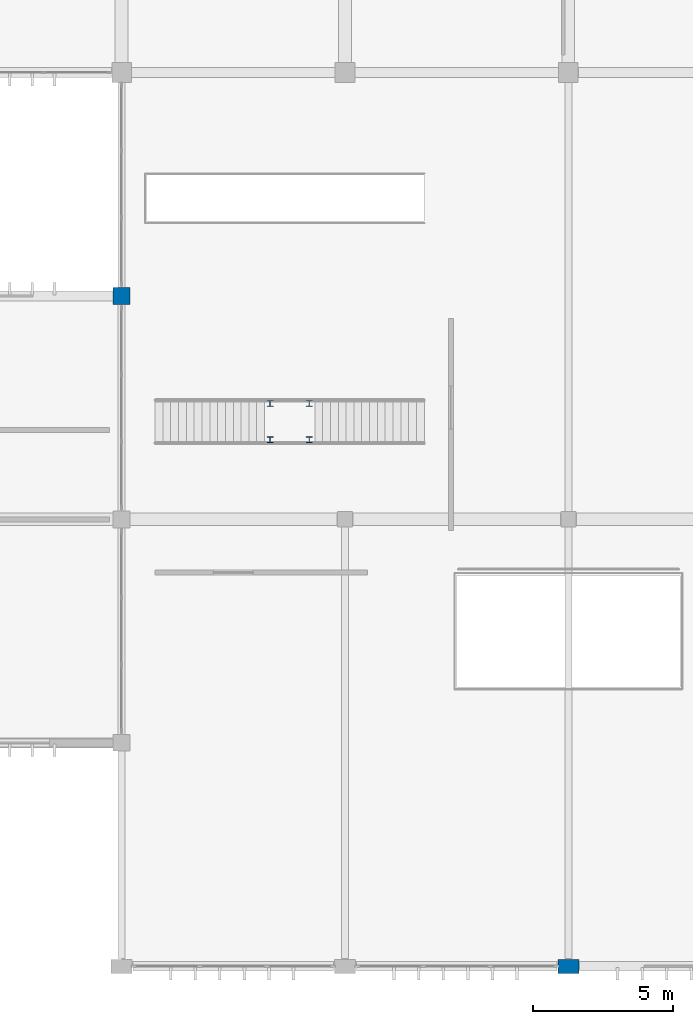
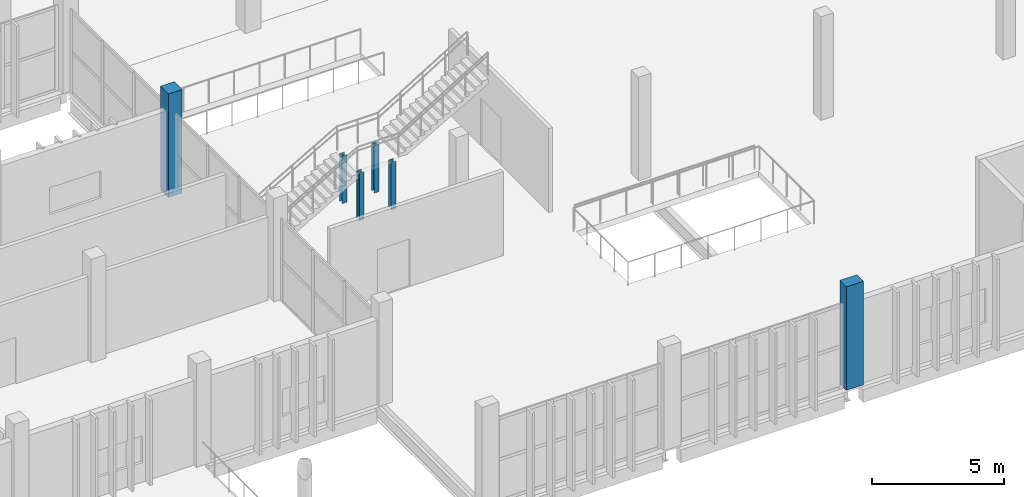
# One storey, part 12 of 106: 6 columns.
"""IFC4 building model written with IfcOpenShell, lengths in metres."""

from ifc_helpers import new_model, si_unit, direction, frame, origin, origin_2d, place, context, subcontext, project, spatial, rectangle, i_section, extrude, material, material_profile, profile_set, type_object, element, save


model = new_model("IFC4")

# Units and contexts
model_context = context("Model", 3, precision=1e-05, world=origin(), true_north=direction((0.0, 1.0)))
body_context = subcontext(model_context, "Body", "Model", "MODEL_VIEW")
ifc_project = project(units=[si_unit("LENGTHUNIT", "METRE"), si_unit("AREAUNIT", "SQUARE_METRE"), si_unit("VOLUMEUNIT", "CUBIC_METRE"), si_unit("PLANEANGLEUNIT", "RADIAN"), si_unit("MASSUNIT", "GRAM", prefix="KILO")], contexts=[model_context])

# Site, building, storey
site_placement = place(None, origin())
site = spatial("IfcSite", under=ifc_project, at=site_placement, CompositionType="ELEMENT")
building_placement = place(site_placement, origin())
building = spatial("IfcBuilding", under=site, at=building_placement, Name="Jelvoka-Kovrelna Polytechnic", CompositionType="ELEMENT")
storey_placement = place(building_placement, frame((0.0, 0.0, 4.800048828125)))
storey = spatial("IfcBuildingStorey", under=building, at=storey_placement, Name="L02", CompositionType="ELEMENT", Elevation=4.800048828125)

# Columns
ifc_material_1 = material(Name="Concrete C40/50", Category="concrete")
ifc_material_profile_1 = material_profile(ifc_material_1, rectangle(XDim=0.5, YDim=0.75, at=origin_2d()), Name="RC 500x750")
ifc_profile_set_1 = profile_set([ifc_material_profile_1], Name="Concrete C40/50")
column_type_1 = type_object("IfcColumnType", Name="Col_RC_500x750", PredefinedType="COLUMN", material=ifc_profile_set_1)
column_1_placement = place(storey_placement, frame((176.0, 0.0, 0.0), z_axis=(0.0, 0.0, 1.0), x_axis=(0.0, 1.0, 0.0)))
element("IfcColumn", 1, at=column_1_placement, inside=storey, type_object=column_type_1, Name="L02 column 0070", PredefinedType="COLUMN", context=body_context, shape_type="SweptSolid", body=[
    extrude(rectangle(XDim=0.5, YDim=0.75, at=origin_2d()), origin(), (0.0, 0.0, 1.0), 4.800048828125),
])
ifc_material_2 = material(Name="Concrete C40/50", Category="concrete")
ifc_material_profile_2 = material_profile(ifc_material_2, rectangle(XDim=0.60009765625, YDim=0.60009765625, at=origin_2d()), Name="RC 600x600")
ifc_profile_set_2 = profile_set([ifc_material_profile_2], Name="Concrete C40/50")
column_type_2 = type_object("IfcColumnType", Name="Col_RC_600", PredefinedType="COLUMN", material=ifc_profile_set_2)
column_2_placement = place(storey_placement, frame((160.0, 24.0, 0.0), z_axis=(0.0, 0.0, 1.0), x_axis=(1.0, 0.0, 0.0)))
element("IfcColumn", 2, at=column_2_placement, inside=storey, type_object=column_type_2, Name="L02 column 0397", PredefinedType="COLUMN", context=body_context, shape_type="SweptSolid", body=[
    extrude(rectangle(XDim=0.60009765625, YDim=0.60009765625, at=origin_2d()), origin(), (0.0, 0.0, 1.0), 4.800048828125),
])
ifc_material_3 = material(Name="Structural steel S355JR", Category="steel")
ifc_material_profile_3 = material_profile(ifc_material_3, i_section(OverallWidth=0.205810546875, OverallDepth=0.209716796875, WebThickness=0.009521484375, FlangeThickness=0.01416015625, FilletRadius=0.01025390625, at=origin_2d()), Name="203x203x60 UC")
ifc_profile_set_3 = profile_set([ifc_material_profile_3], Name="Structural steel S355JR")
column_type_3 = type_object("IfcColumnType", Name="Col_Steel_UC203", PredefinedType="COLUMN", material=ifc_profile_set_3)
for number, where, z_axis, x_axis, name in (
    (3, (165.320068359375, 18.85009765625, 0.0), (0.0, 0.0, 1.0), (1.0, 0.0, 0.0), "L02 feature stair landing post 1715"),
    (4, (165.320068359375, 20.14990234375, 0.0), (0.0, 0.0, 1.0), (1.0, 0.0, 0.0), "L02 feature stair landing post 1717"),
    (5, (166.719970703125, 18.85009765625, 0.0), (0.0, 0.0, 1.0), (1.0, 0.0, 0.0), "L02 feature stair landing post 1719"),
    (6, (166.719970703125, 20.14990234375, 0.0), (0.0, 0.0, 1.0), (1.0, 0.0, 0.0), "L02 feature stair landing post 1721"),
):
    element("IfcColumn", number, at=place(storey_placement, frame(where, z_axis=z_axis, x_axis=x_axis)), inside=storey, type_object=column_type_3, Name=name, PredefinedType="COLUMN", context=body_context, shape_type="SweptSolid", body=[
        extrude(i_section(OverallWidth=0.205810546875, OverallDepth=0.209716796875, WebThickness=0.009521484375, FlangeThickness=0.01416015625, FilletRadius=0.01025390625, at=origin_2d()), origin(), (0.0, 0.0, 1.0), 2.199951171875),
    ])

save(model, "model.ifc")
